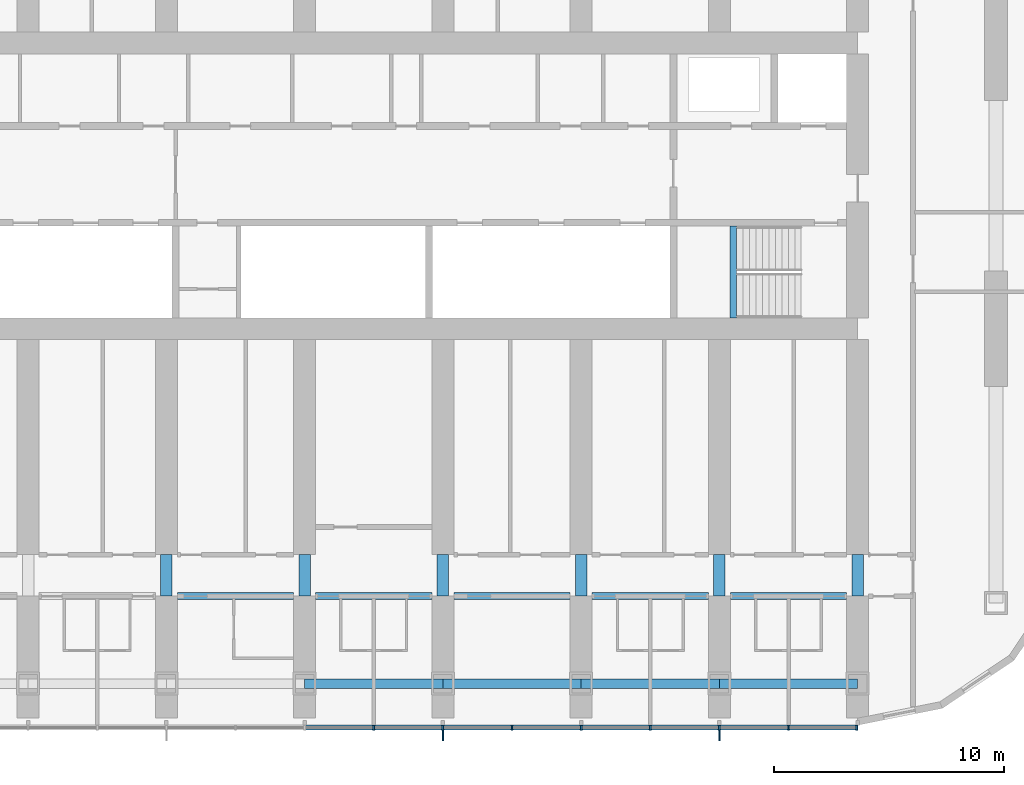
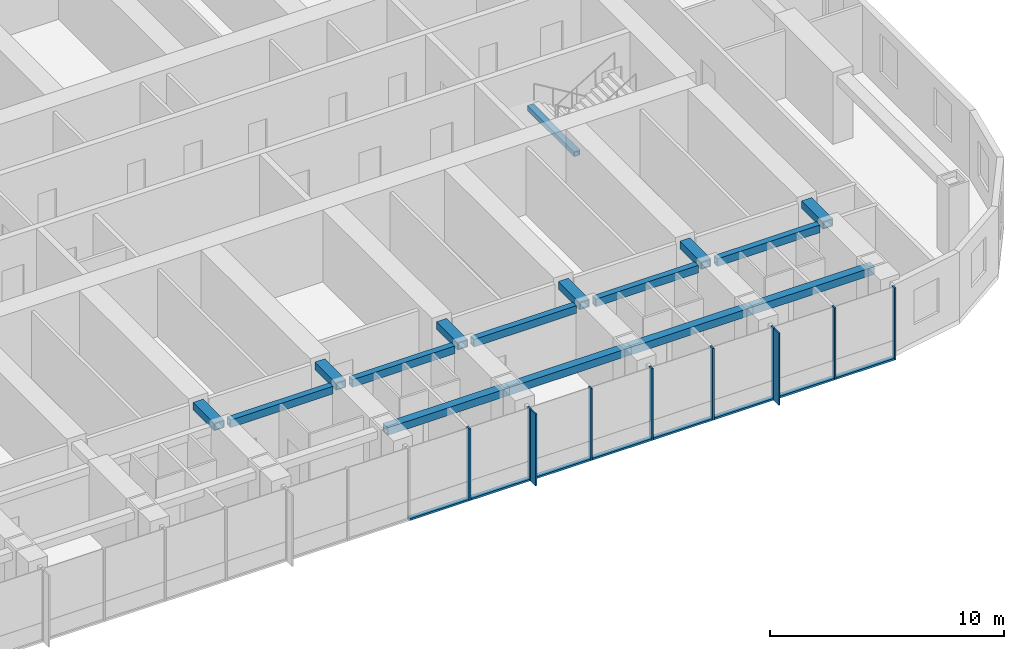
# One storey, part 3 of 21: 18 members, 16 beams, 1 element without a shape of its own.
"""IFC4 building model written with IfcOpenShell, lengths in metres."""

from ifc_helpers import new_model, si_unit, direction, frame, origin, origin_2d, place, context, subcontext, project, spatial, rectangle, hollow_rectangle, extrude, material, material_profile, profile_set, type_object, element, aggregate, save


model = new_model("IFC4")

# Units and contexts
model_context = context("Model", 3, precision=1e-05, world=origin(), true_north=direction((0.0, 1.0)))
body_context = subcontext(model_context, "Body", "Model", "MODEL_VIEW")
ifc_project = project(units=[si_unit("LENGTHUNIT", "METRE"), si_unit("AREAUNIT", "SQUARE_METRE"), si_unit("VOLUMEUNIT", "CUBIC_METRE"), si_unit("PLANEANGLEUNIT", "RADIAN"), si_unit("MASSUNIT", "GRAM", prefix="KILO")], contexts=[model_context])

# Site, building, storey
site_placement = place(None, origin())
site = spatial("IfcSite", under=ifc_project, at=site_placement, CompositionType="ELEMENT")
building_placement = place(site_placement, origin())
building = spatial("IfcBuilding", under=site, at=building_placement, Name="Orbita Commons", CompositionType="ELEMENT")
storey_placement = place(building_placement, frame((0.0, 0.0, 91.89990234375)))
storey = spatial("IfcBuildingStorey", under=building, at=storey_placement, Name="L22", CompositionType="ELEMENT", Elevation=91.89990234375)

# Curtain wall, members
ifc_material_1 = material(Name="Anodised aluminium frame, pale silver", Category="aluminium")
curtain_wall_type = type_object("IfcCurtainWallType", Name="Unitised curtain wall CW-T, vision and spandrel", PredefinedType="NOTDEFINED", material=ifc_material_1)
curtain_wall_placement = place(storey_placement, origin())
curtain_wall = element("IfcCurtainWall", 1, at=curtain_wall_placement, inside=storey, type_object=curtain_wall_type, Name="Curtain wall south L22", PredefinedType="NOTDEFINED")
ifc_material_2 = material(Name="Anodised aluminium, pale silver", Category="aluminium")
ifc_material_profile_1 = material_profile(ifc_material_2, rectangle(XDim=0.080078125, YDim=0.219970703125, at=origin_2d()), Name="AL 80x220")
ifc_profile_set_1 = profile_set([ifc_material_profile_1], Name="Anodised aluminium, pale silver")
member_type_1 = type_object("IfcMemberType", Name="Curtain wall mullion 80x220", PredefinedType="MULLION", material=ifc_profile_set_1)
member_1_placement = place(storey_placement, frame((45.0, 8.489990234375, -0.25), z_axis=(0.0, 0.0, 1.0), x_axis=(1.0, 0.0, 0.0)))
member_1 = element("IfcMember", 2, at=member_1_placement, type_object=member_type_1, Name="Mullion 12 CW-L22-S", PredefinedType="MULLION", context=body_context, shape_type="SweptSolid", body=[
    extrude(rectangle(XDim=0.080078125, YDim=0.219970703125, at=origin_2d()), origin(), (0.0, 0.0, 1.0), 3.75),
])
member_2_placement = place(storey_placement, frame((48.0, 8.489990234375, -0.25), z_axis=(0.0, 0.0, 1.0), x_axis=(1.0, 0.0, 0.0)))
member_2 = element("IfcMember", 3, at=member_2_placement, type_object=member_type_1, Name="Mullion 13 CW-L22-S", PredefinedType="MULLION", context=body_context, shape_type="SweptSolid", body=[
    extrude(rectangle(XDim=0.080078125, YDim=0.219970703125, at=origin_2d()), origin(), (0.0, 0.0, 1.0), 3.75),
])
member_3_placement = place(storey_placement, frame((51.0, 8.489990234375, -0.25), z_axis=(0.0, 0.0, 1.0), x_axis=(1.0, 0.0, 0.0)))
member_3 = element("IfcMember", 4, at=member_3_placement, type_object=member_type_1, Name="Mullion 14 CW-L22-S", PredefinedType="MULLION", context=body_context, shape_type="SweptSolid", body=[
    extrude(rectangle(XDim=0.080078125, YDim=0.219970703125, at=origin_2d()), origin(), (0.0, 0.0, 1.0), 3.75),
])
member_4_placement = place(storey_placement, frame((54.0, 8.489990234375, -0.25), z_axis=(0.0, 0.0, 1.0), x_axis=(1.0, 0.0, 0.0)))
member_4 = element("IfcMember", 5, at=member_4_placement, type_object=member_type_1, Name="Mullion 15 CW-L22-S", PredefinedType="MULLION", context=body_context, shape_type="SweptSolid", body=[
    extrude(rectangle(XDim=0.080078125, YDim=0.219970703125, at=origin_2d()), origin(), (0.0, 0.0, 1.0), 3.75),
])
member_5_placement = place(storey_placement, frame((57.0, 8.489990234375, -0.25), z_axis=(0.0, 0.0, 1.0), x_axis=(1.0, 0.0, 0.0)))
member_5 = element("IfcMember", 6, at=member_5_placement, type_object=member_type_1, Name="Mullion 16 CW-L22-S", PredefinedType="MULLION", context=body_context, shape_type="SweptSolid", body=[
    extrude(rectangle(XDim=0.080078125, YDim=0.219970703125, at=origin_2d()), origin(), (0.0, 0.0, 1.0), 3.75),
])
member_6_placement = place(storey_placement, frame((60.0, 8.489990234375, -0.25), z_axis=(0.0, 0.0, 1.0), x_axis=(1.0, 0.0, 0.0)))
member_6 = element("IfcMember", 7, at=member_6_placement, type_object=member_type_1, Name="Mullion 17 CW-L22-S", PredefinedType="MULLION", context=body_context, shape_type="SweptSolid", body=[
    extrude(rectangle(XDim=0.080078125, YDim=0.219970703125, at=origin_2d()), origin(), (0.0, 0.0, 1.0), 3.75),
])
member_7_placement = place(storey_placement, frame((63.0, 8.489990234375, -0.25), z_axis=(0.0, 0.0, 1.0), x_axis=(1.0, 0.0, 0.0)))
member_7 = element("IfcMember", 8, at=member_7_placement, type_object=member_type_1, Name="Mullion 18 CW-L22-S", PredefinedType="MULLION", context=body_context, shape_type="SweptSolid", body=[
    extrude(rectangle(XDim=0.080078125, YDim=0.219970703125, at=origin_2d()), origin(), (0.0, 0.0, 1.0), 3.75),
])
member_8_placement = place(storey_placement, frame((65.9599609375, 8.489990234375, -0.25), z_axis=(0.0, 0.0, 1.0), x_axis=(1.0, 0.0, 0.0)))
member_8 = element("IfcMember", 9, at=member_8_placement, type_object=member_type_1, Name="Mullion 19 CW-L22-S", PredefinedType="MULLION", context=body_context, shape_type="SweptSolid", body=[
    extrude(rectangle(XDim=0.080078125, YDim=0.219970703125, at=origin_2d()), origin(), (0.0, 0.0, 1.0), 3.75),
])
ifc_material_3 = material(Name="Anodised aluminium, pale silver", Category="aluminium")
ifc_material_profile_2 = material_profile(ifc_material_3, rectangle(XDim=0.219970703125, YDim=0.10009765625, at=origin_2d()), Name="AL 220x100")
ifc_profile_set_2 = profile_set([ifc_material_profile_2], Name="Anodised aluminium, pale silver")
member_type_2 = type_object("IfcMemberType", Name="Curtain wall stack transom 220x100", PredefinedType="USERDEFINED", material=ifc_profile_set_2)
member_9_placement = place(storey_placement, frame((42.0400390625, 8.489990234375, -0.199951171875), z_axis=(1.0, 0.0, 0.0), x_axis=(0.0, 1.0, 0.0)))
member_9 = element("IfcMember", 10, at=member_9_placement, type_object=member_type_2, Name="Transom 11.1 CW-L22-S", ObjectType="TRANSOM", PredefinedType="USERDEFINED", context=body_context, shape_type="SweptSolid", body=[
    extrude(rectangle(XDim=0.219970703125, YDim=0.10009765625, at=origin_2d()), origin(), (0.0, 0.0, 1.0), 2.919921875),
])
member_10_placement = place(storey_placement, frame((45.0400390625, 8.489990234375, -0.199951171875), z_axis=(1.0, 0.0, 0.0), x_axis=(0.0, 1.0, 0.0)))
member_10 = element("IfcMember", 11, at=member_10_placement, type_object=member_type_2, Name="Transom 12.1 CW-L22-S", ObjectType="TRANSOM", PredefinedType="USERDEFINED", context=body_context, shape_type="SweptSolid", body=[
    extrude(rectangle(XDim=0.219970703125, YDim=0.10009765625, at=origin_2d()), origin(), (0.0, 0.0, 1.0), 2.919921875),
])
member_11_placement = place(storey_placement, frame((48.0400390625, 8.489990234375, -0.199951171875), z_axis=(1.0, 0.0, 0.0), x_axis=(0.0, 1.0, 0.0)))
member_11 = element("IfcMember", 12, at=member_11_placement, type_object=member_type_2, Name="Transom 13.1 CW-L22-S", ObjectType="TRANSOM", PredefinedType="USERDEFINED", context=body_context, shape_type="SweptSolid", body=[
    extrude(rectangle(XDim=0.219970703125, YDim=0.10009765625, at=origin_2d()), origin(), (0.0, 0.0, 1.0), 2.919921875),
])
member_12_placement = place(storey_placement, frame((51.0400390625, 8.489990234375, -0.199951171875), z_axis=(1.0, 0.0, 0.0), x_axis=(0.0, 1.0, 0.0)))
member_12 = element("IfcMember", 13, at=member_12_placement, type_object=member_type_2, Name="Transom 14.1 CW-L22-S", ObjectType="TRANSOM", PredefinedType="USERDEFINED", context=body_context, shape_type="SweptSolid", body=[
    extrude(rectangle(XDim=0.219970703125, YDim=0.10009765625, at=origin_2d()), origin(), (0.0, 0.0, 1.0), 2.919921875),
])
member_13_placement = place(storey_placement, frame((54.0400390625, 8.489990234375, -0.199951171875), z_axis=(1.0, 0.0, 0.0), x_axis=(0.0, 1.0, 0.0)))
member_13 = element("IfcMember", 14, at=member_13_placement, type_object=member_type_2, Name="Transom 15.1 CW-L22-S", ObjectType="TRANSOM", PredefinedType="USERDEFINED", context=body_context, shape_type="SweptSolid", body=[
    extrude(rectangle(XDim=0.219970703125, YDim=0.10009765625, at=origin_2d()), origin(), (0.0, 0.0, 1.0), 2.919921875),
])
member_14_placement = place(storey_placement, frame((57.0400390625, 8.489990234375, -0.199951171875), z_axis=(1.0, 0.0, 0.0), x_axis=(0.0, 1.0, 0.0)))
member_14 = element("IfcMember", 15, at=member_14_placement, type_object=member_type_2, Name="Transom 16.1 CW-L22-S", ObjectType="TRANSOM", PredefinedType="USERDEFINED", context=body_context, shape_type="SweptSolid", body=[
    extrude(rectangle(XDim=0.219970703125, YDim=0.10009765625, at=origin_2d()), origin(), (0.0, 0.0, 1.0), 2.919921875),
])
member_15_placement = place(storey_placement, frame((60.0400390625, 8.489990234375, -0.199951171875), z_axis=(1.0, 0.0, 0.0), x_axis=(0.0, 1.0, 0.0)))
member_15 = element("IfcMember", 16, at=member_15_placement, type_object=member_type_2, Name="Transom 17.1 CW-L22-S", ObjectType="TRANSOM", PredefinedType="USERDEFINED", context=body_context, shape_type="SweptSolid", body=[
    extrude(rectangle(XDim=0.219970703125, YDim=0.10009765625, at=origin_2d()), origin(), (0.0, 0.0, 1.0), 2.919921875),
])
member_16_placement = place(storey_placement, frame((63.0400390625, 8.489990234375, -0.199951171875), z_axis=(1.0, 0.0, 0.0), x_axis=(0.0, 1.0, 0.0)))
member_16 = element("IfcMember", 17, at=member_16_placement, type_object=member_type_2, Name="Transom 18.1 CW-L22-S", ObjectType="TRANSOM", PredefinedType="USERDEFINED", context=body_context, shape_type="SweptSolid", body=[
    extrude(rectangle(XDim=0.219970703125, YDim=0.10009765625, at=origin_2d()), origin(), (0.0, 0.0, 1.0), 2.8798828125),
])

# Beams
ifc_material_4 = material(Name="Steel ASTM A572 Gr 50 welded plate", Category="steel")
ifc_material_profile_3 = material_profile(ifc_material_4, hollow_rectangle(XDim=0.300048828125, YDim=0.25, WallThickness=0.02490234375, at=origin_2d()), Name="BOX 250x300x25")
ifc_profile_set_3 = profile_set([ifc_material_profile_3], Name="Steel ASTM A572 Gr 50 welded plate")
beam_type_1 = type_object("IfcBeamType", Name="Stair landing beam steel BOX 250x300x25", PredefinedType="BEAM", material=ifc_profile_set_3)
beam_placement = place(storey_placement, frame((60.60009765625, 26.260009765625, 1.550048828125), z_axis=(0.0, 1.0, 0.0), x_axis=(-1.0, 0.0, 0.0)))
element("IfcBeam", 18, at=beam_placement, inside=storey, type_object=beam_type_1, Name="Stair S2 landing beam L22 1", PredefinedType="BEAM", context=body_context, shape_type="SweptSolid", body=[
    extrude(hollow_rectangle(XDim=0.300048828125, YDim=0.25, WallThickness=0.02490234375, at=origin_2d()), origin(), (0.0, 0.0, 1.0), 4.0048828125),
])
ifc_material_5 = material(Name="Steel ASTM A572 Gr 50 welded plate", Category="steel")
ifc_material_profile_4 = material_profile(ifc_material_5, hollow_rectangle(XDim=0.300048828125, YDim=0.39990234375, WallThickness=0.0400390625, at=origin_2d()), Name="BOX 400x300x40")
ifc_profile_set_4 = profile_set([ifc_material_profile_4], Name="Steel ASTM A572 Gr 50 welded plate")
beam_type_2 = type_object("IfcBeamType", Name="Steel corridor link BOX 400x300x40", PredefinedType="BEAM", material=ifc_profile_set_4)
for number, where, z_axis, x_axis, name in (
    (19, (36.47509765625, 14.199951171875, 3.300048828125), (1.0, 0.0, 0.0), (0.0, 1.0, 0.0), "Corridor beam SA 7-8 L22"),
    (20, (42.47509765625, 14.199951171875, 3.300048828125), (1.0, 0.0, 0.0), (0.0, 1.0, 0.0), "Corridor beam SA 8-9 L22"),
    (21, (48.47509765625, 14.199951171875, 3.300048828125), (1.0, 0.0, 0.0), (0.0, 1.0, 0.0), "Corridor beam SA 9-10 L22"),
    (22, (54.47509765625, 14.199951171875, 3.300048828125), (1.0, 0.0, 0.0), (0.0, 1.0, 0.0), "Corridor beam SA 10-11 L22"),
    (23, (60.47509765625, 14.199951171875, 3.300048828125), (1.0, 0.0, 0.0), (0.0, 1.0, 0.0), "Corridor beam SA 11-12 L22"),
):
    element("IfcBeam", number, at=place(storey_placement, frame(where, z_axis=z_axis, x_axis=x_axis)), inside=storey, type_object=beam_type_2, Name=name, PredefinedType="BEAM", context=body_context, shape_type="SweptSolid", body=[
        extrude(hollow_rectangle(XDim=0.300048828125, YDim=0.39990234375, WallThickness=0.0400390625, at=origin_2d()), origin(), (0.0, 0.0, 1.0), 5.0498046875),
    ])
ifc_material_6 = material(Name="Steel ASTM A572 Gr 50 welded plate", Category="steel")
ifc_material_profile_5 = material_profile(ifc_material_6, hollow_rectangle(XDim=0.5, YDim=0.39990234375, WallThickness=0.050048828125, at=origin_2d()), Name="BOX 400x500x50")
ifc_profile_set_5 = profile_set([ifc_material_profile_5], Name="Steel ASTM A572 Gr 50 welded plate")
beam_type_3 = type_object("IfcBeamType", Name="Steel coupling link BOX 400x500x50", PredefinedType="LINTEL", material=ifc_profile_set_5)
for number, where, z_axis, x_axis, name in (
    (24, (36.0, 14.199951171875, 3.300048828125), (0.0, 1.0, 0.0), (-1.0, 0.0, 0.0), "Coupling beam 7 south L22"),
    (25, (42.0, 14.199951171875, 3.300048828125), (0.0, 1.0, 0.0), (-1.0, 0.0, 0.0), "Coupling beam 8 south L22"),
    (26, (48.0, 14.199951171875, 3.300048828125), (0.0, 1.0, 0.0), (-1.0, 0.0, 0.0), "Coupling beam 9 south L22"),
    (27, (54.0, 14.199951171875, 3.300048828125), (0.0, 1.0, 0.0), (-1.0, 0.0, 0.0), "Coupling beam 10 south L22"),
    (28, (60.0, 14.199951171875, 3.300048828125), (0.0, 1.0, 0.0), (-1.0, 0.0, 0.0), "Coupling beam 11 south L22"),
    (29, (66.0, 14.199951171875, 3.300048828125), (0.0, 1.0, 0.0), (-1.0, 0.0, 0.0), "Coupling beam 12 south L22"),
):
    element("IfcBeam", number, at=place(storey_placement, frame(where, z_axis=z_axis, x_axis=x_axis)), inside=storey, type_object=beam_type_3, Name=name, PredefinedType="LINTEL", context=body_context, shape_type="SweptSolid", body=[
        extrude(hollow_rectangle(XDim=0.5, YDim=0.39990234375, WallThickness=0.050048828125, at=origin_2d()), origin(), (0.0, 0.0, 1.0), 1.800048828125),
    ])
ifc_material_7 = material(Name="Steel ASTM A572 Gr 50 welded plate", Category="steel")
ifc_material_profile_6 = material_profile(ifc_material_7, hollow_rectangle(XDim=0.39990234375, YDim=0.39990234375, WallThickness=0.0400390625, at=origin_2d()), Name="BOX 400x400x40")
ifc_profile_set_6 = profile_set([ifc_material_profile_6], Name="Steel ASTM A572 Gr 50 welded plate")
beam_type_4 = type_object("IfcBeamType", Name="Steel spandrel BOX 400x400x40", PredefinedType="SPANDREL", material=ifc_profile_set_6)
for number, where, z_axis, x_axis, name in (
    (30, (42.0, 10.39990234375, 3.300048828125), (1.0, 0.0, 0.0), (0.0, 1.0, 0.0), "Spandrel beam B 8-9 L22"),
    (31, (48.0, 10.39990234375, 3.300048828125), (1.0, 0.0, 0.0), (0.0, 1.0, 0.0), "Spandrel beam B 9-10 L22"),
    (32, (54.0, 10.39990234375, 3.300048828125), (1.0, 0.0, 0.0), (0.0, 1.0, 0.0), "Spandrel beam B 10-11 L22"),
    (33, (60.0, 10.39990234375, 3.300048828125), (1.0, 0.0, 0.0), (0.0, 1.0, 0.0), "Spandrel beam B 11-12 L22"),
):
    element("IfcBeam", number, at=place(storey_placement, frame(where, z_axis=z_axis, x_axis=x_axis)), inside=storey, type_object=beam_type_4, Name=name, PredefinedType="SPANDREL", context=body_context, shape_type="SweptSolid", body=[
        extrude(hollow_rectangle(XDim=0.39990234375, YDim=0.39990234375, WallThickness=0.0400390625, at=origin_2d()), origin(), (0.0, 0.0, 1.0), 6.0),
    ])

# Member
ifc_material_8 = material(Name="Anodised aluminium, pale silver", Category="aluminium")
ifc_material_profile_7 = material_profile(ifc_material_8, rectangle(XDim=0.06005859375, YDim=0.449951171875, at=origin_2d()), Name="FIN 60x450")
ifc_profile_set_7 = profile_set([ifc_material_profile_7], Name="Anodised aluminium, pale silver")
member_type_3 = type_object("IfcMemberType", Name="Vertical fin 60x450 pale aluminium", PredefinedType="USERDEFINED", material=ifc_profile_set_7)
member_17_placement = place(storey_placement, frame((48.0, 8.155029296875, -0.25), z_axis=(0.0, 0.0, 1.0), x_axis=(1.0, 0.0, 0.0)))
member_17 = element("IfcMember", 34, at=member_17_placement, type_object=member_type_3, Name="Fin 13 CW-L22-S", ObjectType="FIN", PredefinedType="USERDEFINED", context=body_context, shape_type="SweptSolid", body=[
    extrude(rectangle(XDim=0.06005859375, YDim=0.449951171875, at=origin_2d()), origin(), (0.0, 0.0, 1.0), 3.75),
])

member_18_placement = place(storey_placement, frame((60.0, 8.155029296875, -0.25), z_axis=(0.0, 0.0, 1.0), x_axis=(1.0, 0.0, 0.0)))
member_18 = element("IfcMember", 35, at=member_18_placement, type_object=member_type_3, Name="Fin 17 CW-L22-S", ObjectType="FIN", PredefinedType="USERDEFINED", context=body_context, shape_type="SweptSolid", body=[
    extrude(rectangle(XDim=0.06005859375, YDim=0.449951171875, at=origin_2d()), origin(), (0.0, 0.0, 1.0), 3.75),
])

aggregate(curtain_wall, [member_1, member_2, member_17, member_3, member_4, member_5, member_6, member_18, member_7, member_8, member_9, member_10, member_11, member_12, member_13, member_14, member_15, member_16])

save(model, "model.ifc")
